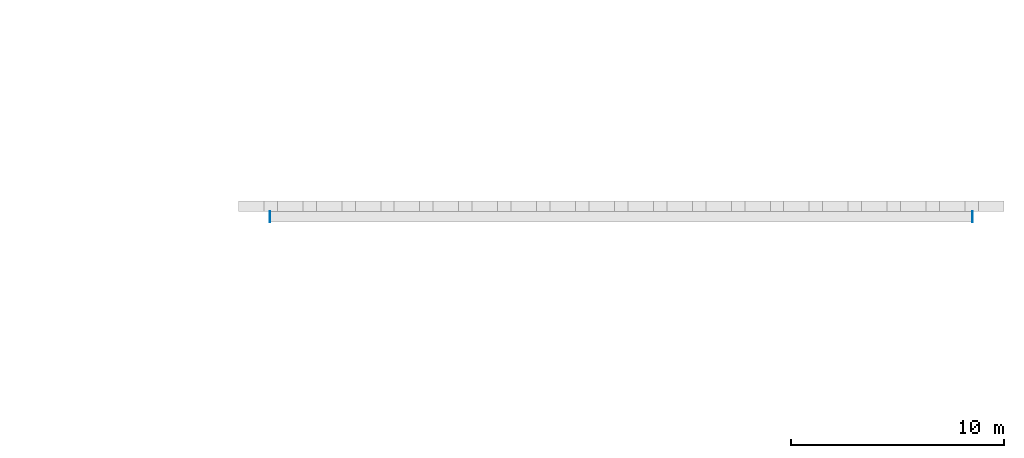
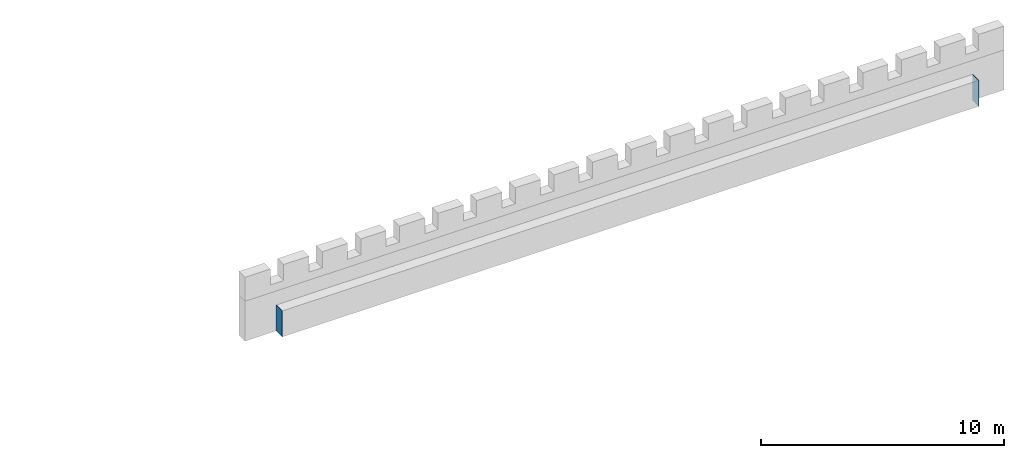
# One storey, part 24 of 37: 2 discrete accessories.
"""IFC4 building model written with IfcOpenShell, lengths in metres."""

from ifc_helpers import new_model, si_unit, direction, frame, origin, origin_2d, place, context, subcontext, project, spatial, rectangle, extrude, material, type_object, element, save


model = new_model("IFC4")

# Units and contexts
model_context = context("Model", 3, precision=1e-05, world=origin(), true_north=direction((0.0, 1.0)))
body_context = subcontext(model_context, "Body", "Model", "MODEL_VIEW")
ifc_project = project(units=[si_unit("LENGTHUNIT", "METRE"), si_unit("AREAUNIT", "SQUARE_METRE"), si_unit("VOLUMEUNIT", "CUBIC_METRE"), si_unit("PLANEANGLEUNIT", "RADIAN"), si_unit("MASSUNIT", "GRAM", prefix="KILO")], contexts=[model_context])

# Site, building, storey
site_placement = place(None, origin())
site = spatial("IfcSite", under=ifc_project, at=site_placement, CompositionType="ELEMENT")
building_placement = place(site_placement, origin())
building = spatial("IfcBuilding", under=site, at=building_placement, Name="Baradari Gate Terminus", CompositionType="ELEMENT")
storey_placement = place(building_placement, frame((0.0, 0.0, 24.300048828125)))
storey = spatial("IfcBuildingStorey", under=building, at=storey_placement, Name="L05", CompositionType="ELEMENT", Elevation=24.300048828125)

# Discrete accessories
ifc_material = material(Name="Steel S355", Category="steel")
discrete_accessory_type = type_object("IfcDiscreteAccessoryType", Name="Hollow section end plate EP-2 500x1300x25", PredefinedType="ANCHORPLATE", material=ifc_material)
for number, where, z_axis, x_axis, name in (
    (1, (136.47509765625, 108.449951171875, 0.349853515625), (1.0, 0.0, 0.0), (0.0, 1.0, 0.0), "End plate EP-2 at the start of Pishtaq fascia girder B68 136.5-169.5 L05"),
    (2, (169.5, 108.449951171875, 0.349853515625), (1.0, 0.0, 0.0), (0.0, 1.0, 0.0), "End plate EP-2 at the end of Pishtaq fascia girder B68 136.5-169.5 L05"),
):
    element("IfcDiscreteAccessory", number, at=place(storey_placement, frame(where, z_axis=z_axis, x_axis=x_axis)), inside=storey, type_object=discrete_accessory_type, Name=name, PredefinedType="ANCHORPLATE", context=body_context, shape_type="SweptSolid", body=[
        extrude(rectangle(XDim=0.5, YDim=1.300048828125, at=origin_2d()), origin(), (0.0, 0.0, 1.0), 0.02490234375),
    ])

save(model, "model.ifc")
